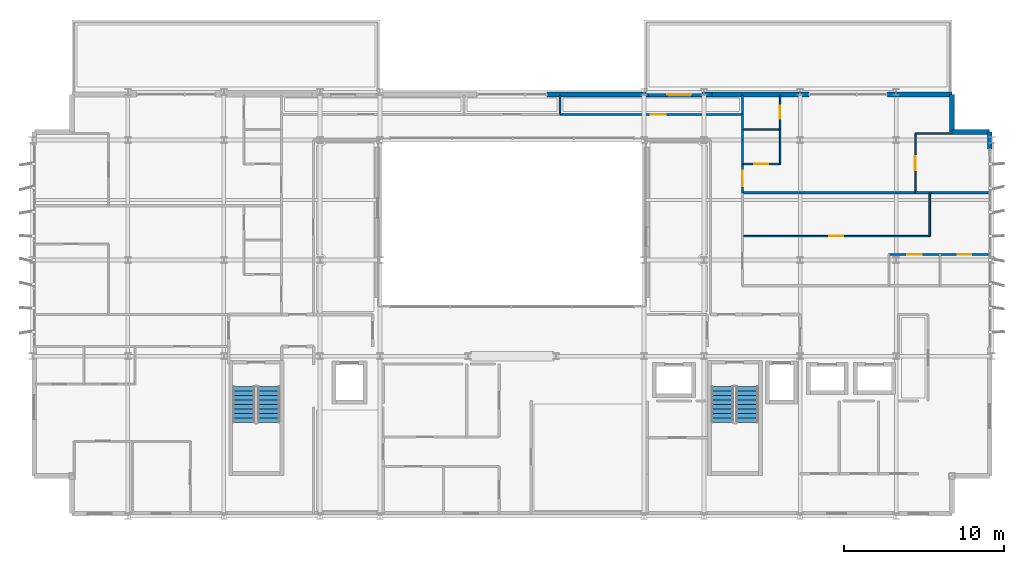
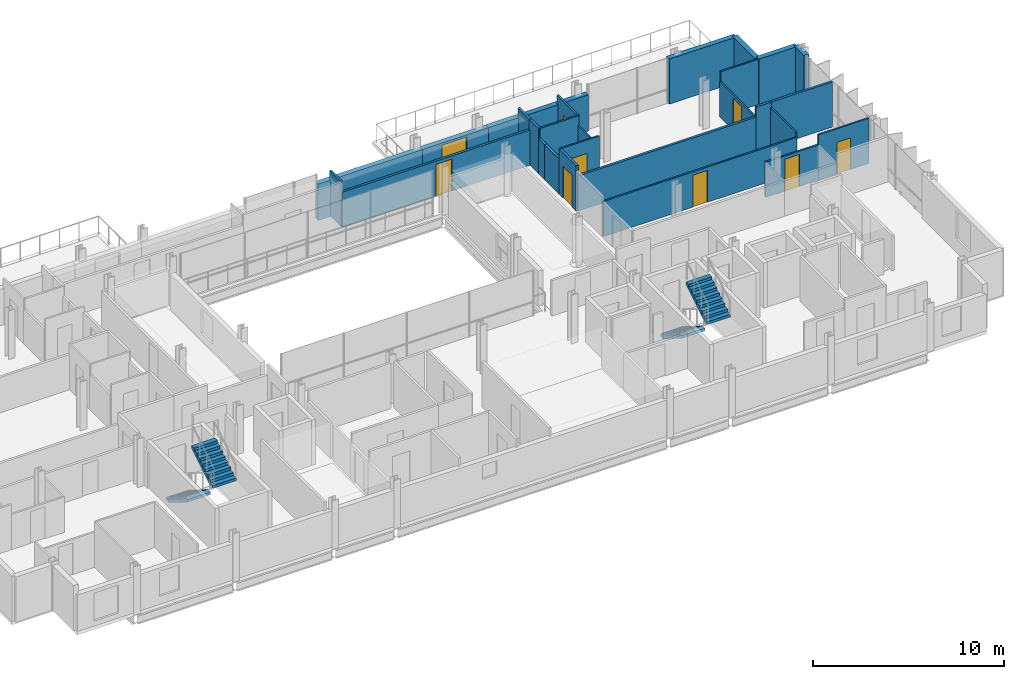
# One storey, part 32 of 38: 27 walls, 9 doors, 4 stair flights, 9 openings, 2 elements without a shape of their own.
"""IFC4 building model written with IfcOpenShell, lengths in metres."""

from ifc_helpers import new_model, si_unit, direction, frame, frame_2d, origin, place, context, subcontext, project, spatial, polyline, rectangle, outline, extrude, material, layer, layer_set, type_object, element, fill, aggregate, save


model = new_model("IFC4")

# Units and contexts
model_context = context("Model", 3, precision=1e-05, world=origin(), true_north=direction((0.0, 1.0)))
body_context = subcontext(model_context, "Body", "Model", "MODEL_VIEW")
ifc_project = project(units=[si_unit("LENGTHUNIT", "METRE"), si_unit("AREAUNIT", "SQUARE_METRE"), si_unit("VOLUMEUNIT", "CUBIC_METRE"), si_unit("PLANEANGLEUNIT", "RADIAN"), si_unit("MASSUNIT", "GRAM", prefix="KILO")], contexts=[model_context])

# Site, building, storey
site_placement = place(None, origin())
site = spatial("IfcSite", under=ifc_project, at=site_placement, CompositionType="ELEMENT")
building_placement = place(site_placement, origin())
building = spatial("IfcBuilding", under=site, at=building_placement, Name="Brevholm Reach", CompositionType="ELEMENT")
storey_placement = place(building_placement, frame((0.0, 0.0, 172.800048828125)))
storey = spatial("IfcBuildingStorey", under=building, at=storey_placement, Name="L52", CompositionType="ELEMENT", Elevation=172.800048828125)

# Wall, opening, door
ifc_material_1 = material(Name="Concrete C40/50", Category="concrete")
ifc_layer_1 = layer(ifc_material_1, 0.300048828125)
ifc_layer_set_1 = layer_set([ifc_layer_1], Name="Concrete C40/50")
wall_type_1 = type_object("IfcWallType", Name="WAL-EXT-300", PredefinedType="STANDARD", material=ifc_layer_set_1)
wall_1_placement = place(storey_placement, frame((38.5, 26.35009765625, 0.0), z_axis=(0.0, 0.0, 1.0), x_axis=(1.0, 0.0, 0.0)))
wall_1 = element("IfcWall", 1, at=wall_1_placement, inside=storey, type_object=wall_type_1, Name="L52 Facade Wall WAL-L52-TERR-NE", PredefinedType="STANDARD", context=body_context, shape_type="SweptSolid", body=[
    extrude(rectangle(XDim=4.0, YDim=0.300048828125, at=frame_2d((2.0, 0.0))), origin(), (0.0, 0.0, 1.0), 2.331787109375),
])
opening_1_placement = place(wall_1_placement, frame((1.199951171875, 0.0, 0.0)))
opening_1 = element("IfcOpeningElement", 2, at=opening_1_placement, cuts=wall_1, Name="Opening ED-04", PredefinedType="OPENING", context=body_context, shape_type="SweptSolid", body=[
    extrude(rectangle(XDim=1.5, YDim=2.199951171875, at=frame_2d((0.75, 1.10009765625))), frame((0.0, 0.159912109375, 0.0), z_axis=(0.0, -1.0, 0.0), x_axis=(1.0, 0.0, 0.0)), (0.0, 0.0, 1.0), 0.320068359375),
])
ifc_material_2 = material(Name="Dark Anodised Aluminium and Laminated Glass", Category="aluminium")
door_type_1 = type_object("IfcDoorType", Name="DOR-EXT-TER", OperationType="NOTDEFINED", PredefinedType="DOOR", material=ifc_material_2)
door_1_placement = place(opening_1_placement, origin())
door_1 = element("IfcDoor", 3, at=door_1_placement, inside=storey, type_object=door_type_1, Name="L52 Exterior Door DOR-L52-TERR-NE", OperationType="SINGLE_SWING_RIGHT", OverallHeight=2.199951171875, OverallWidth=1.5, PredefinedType="DOOR", context=body_context, shape_type="SweptSolid", body=[
    extrude(rectangle(XDim=1.5, YDim=2.199951171875, at=frame_2d((0.75, 1.10009765625))), frame((0.0, 0.02490234375, 0.0), z_axis=(0.0, -1.0, 0.0), x_axis=(1.0, 0.0, 0.0)), (0.0, 0.0, 1.0), 0.050048828125),
])
fill(opening_1, door_1)

# Walls
for number, where, z_axis, x_axis, name in (
    (4, (59.85009765625, 24.0, 0.0), (0.0, 0.0, 1.0), (-1.0, 0.0, 0.0), "L52 Facade Wall WAL-L52-CNE1"),
    (5, (57.5, 24.0, 0.0), (0.0, 0.0, 1.0), (0.0, 1.0, 0.0), "L52 Facade Wall WAL-L52-CNE2"),
):
    element("IfcWall", number, at=place(storey_placement, frame(where, z_axis=z_axis, x_axis=x_axis)), inside=storey, type_object=wall_type_1, Name=name, PredefinedType="STANDARD", context=body_context, shape_type="SweptSolid", body=[
        extrude(rectangle(XDim=2.35009765625, YDim=0.300048828125, at=frame_2d((1.175048828125, 0.0))), origin(), (0.0, 0.0, 1.0), 2.889892578125),
    ])
wall_2_placement = place(storey_placement, frame((59.85009765625, 22.949951171875, 0.0), z_axis=(0.0, 0.0, 1.0), x_axis=(0.0, 1.0, 0.0)))
element("IfcWall", 6, at=wall_2_placement, inside=storey, type_object=wall_type_1, Name="L52 Facade Wall WAL-L52-E-N", PredefinedType="STANDARD", context=body_context, shape_type="SweptSolid", body=[
    extrude(rectangle(XDim=1.050048828125, YDim=0.300048828125, at=frame_2d((0.52490234375, 0.0))), origin(), (0.0, 0.0, 1.0), 2.889892578125),
])
wall_3_placement = place(storey_placement, frame((53.449951171875, 26.35009765625, 0.0), z_axis=(0.0, 0.0, 1.0), x_axis=(1.0, 0.0, 0.0)))
element("IfcWall", 7, at=wall_3_placement, inside=storey, type_object=wall_type_1, Name="L52 Facade Wall WAL-L52-NP-E0", PredefinedType="STANDARD", context=body_context, shape_type="SweptSolid", body=[
    extrude(rectangle(XDim=4.050048828125, YDim=0.300048828125, at=frame_2d((2.02490234375, 0.0))), origin(), (0.0, 0.0, 1.0), 2.889892578125),
])
wall_4_placement = place(storey_placement, frame((32.199951171875, 26.35009765625, 0.0), z_axis=(0.0, 0.0, 1.0), x_axis=(1.0, 0.0, 0.0)))
element("IfcWall", 8, at=wall_4_placement, inside=storey, type_object=wall_type_1, Name="L52 Facade Wall WAL-L52-NP-R1", PredefinedType="STANDARD", context=body_context, shape_type="SweptSolid", body=[
    extrude(rectangle(XDim=6.300048828125, YDim=0.300048828125, at=frame_2d((3.14990234375, 0.0))), origin(), (0.0, 0.0, 1.0), 2.331787109375),
])
wall_5_placement = place(storey_placement, frame((42.5, 26.35009765625, 0.0), z_axis=(0.0, 0.0, 1.0), x_axis=(1.0, 0.0, 0.0)))
element("IfcWall", 9, at=wall_5_placement, inside=storey, type_object=wall_type_1, Name="L52 Facade Wall WAL-L52-NP-R2", PredefinedType="STANDARD", context=body_context, shape_type="SweptSolid", body=[
    extrude(rectangle(XDim=6.050048828125, YDim=0.300048828125, at=frame_2d((3.02490234375, 0.0))), origin(), (0.0, 0.0, 1.0), 2.331787109375),
])

# Wall, opening, door
ifc_material_3 = material(Name="Moisture-Resistant Acoustic Gypsum Stud Partition 100 mm", Category="gypsum")
ifc_layer_2 = layer(ifc_material_3, 0.10009765625)
ifc_layer_set_2 = layer_set([ifc_layer_2], Name="Moisture-Resistant Acoustic Gypsum Stud Partition 100 mm")
wall_type_2 = type_object("IfcWallType", Name="WAL-PRT-100", PredefinedType="PARTITIONING", material=ifc_layer_set_2)
wall_6_placement = place(storey_placement, frame((56.75, 16.35009765625, 0.0), z_axis=(0.0, 0.0, 1.0), x_axis=(1.0, 0.0, 0.0)))
wall_6 = element("IfcWall", 10, at=wall_6_placement, inside=storey, type_object=wall_type_2, Name="L52 Internal Partition 088", PredefinedType="PARTITIONING", context=body_context, shape_type="SweptSolid", body=[
    extrude(rectangle(XDim=3.050048828125, YDim=0.10009765625, at=frame_2d((1.52490234375, 0.0))), origin(), (0.0, 0.0, 1.0), 2.889892578125),
])
opening_2_placement = place(wall_6_placement, frame((1.114990234375, 0.0, 0.0)))
opening_2 = element("IfcOpeningElement", 11, at=opening_2_placement, cuts=wall_6, Name="Opening ID-03", PredefinedType="OPENING", context=body_context, shape_type="SweptSolid", body=[
    extrude(rectangle(XDim=0.820068359375, YDim=2.02001953125, at=frame_2d((0.41015625, 1.010009765625))), frame((0.0, 0.06005859375, 0.0), z_axis=(0.0, -1.0, 0.0), x_axis=(1.0, 0.0, 0.0)), (0.0, 0.0, 1.0), 0.1201171875),
])
ifc_material_4 = material(Name="Moisture-Resistant Painted Timber Internal Bathroom Door", Category="wood")
door_type_2 = type_object("IfcDoorType", Name="DOR-BATH-820", OperationType="NOTDEFINED", PredefinedType="DOOR", material=ifc_material_4)
door_2_placement = place(opening_2_placement, origin())
door_2 = element("IfcDoor", 12, at=door_2_placement, inside=storey, type_object=door_type_2, Name="L52 Internal Door 037", OperationType="SINGLE_SWING_RIGHT", OverallHeight=2.02001953125, OverallWidth=0.820068359375, PredefinedType="DOOR", context=body_context, shape_type="SweptSolid", body=[
    extrude(rectangle(XDim=0.820068359375, YDim=2.02001953125, at=frame_2d((0.41015625, 1.010009765625))), frame((0.0, 0.02490234375, 0.0), z_axis=(0.0, -1.0, 0.0), x_axis=(1.0, 0.0, 0.0)), (0.0, 0.0, 1.0), 0.050048828125),
])
fill(opening_2, door_2)

wall_7_placement = place(storey_placement, frame((53.550048828125, 16.35009765625, 0.0), z_axis=(0.0, 0.0, 1.0), x_axis=(1.0, 0.0, 0.0)))
wall_7 = element("IfcWall", 13, at=wall_7_placement, inside=storey, type_object=wall_type_2, Name="L52 Internal Partition 089", PredefinedType="PARTITIONING", context=body_context, shape_type="SweptSolid", body=[
    extrude(rectangle(XDim=3.196044921875, YDim=0.10009765625, at=frame_2d((1.59814453125, 0.0))), origin(), (0.0, 0.0, 1.0), 2.252685546875),
])
opening_3_placement = place(wall_7_placement, frame((1.157958984375, 0.0, 0.0)))
opening_3 = element("IfcOpeningElement", 14, at=opening_3_placement, cuts=wall_7, Name="Opening ID-01", PredefinedType="OPENING", context=body_context, shape_type="SweptSolid", body=[
    extrude(rectangle(XDim=0.8798828125, YDim=2.0400390625, at=frame_2d((0.43994140625, 1.02001953125))), frame((0.0, 0.06005859375, 0.0), z_axis=(0.0, -1.0, 0.0), x_axis=(1.0, 0.0, 0.0)), (0.0, 0.0, 1.0), 0.1201171875),
])
ifc_material_5 = material(Name="Lacquered Ash Solid-Core Acoustic Internal Door", Category="timber")
door_type_3 = type_object("IfcDoorType", Name="DOR-INT-880", OperationType="NOTDEFINED", PredefinedType="DOOR", material=ifc_material_5)
door_3_placement = place(opening_3_placement, origin())
door_3 = element("IfcDoor", 15, at=door_3_placement, inside=storey, type_object=door_type_3, Name="L52 Internal Door 038", OperationType="SINGLE_SWING_LEFT", OverallHeight=2.0400390625, OverallWidth=0.8798828125, PredefinedType="DOOR", context=body_context, shape_type="SweptSolid", body=[
    extrude(rectangle(XDim=0.8798828125, YDim=2.0400390625, at=frame_2d((0.43994140625, 1.02001953125))), frame((0.0, 0.02490234375, 0.0), z_axis=(0.0, -1.0, 0.0), x_axis=(1.0, 0.0, 0.0)), (0.0, 0.0, 1.0), 0.050048828125),
])
fill(opening_3, door_3)

wall_8_placement = place(storey_placement, frame((44.404052734375, 17.5, 0.0), z_axis=(0.0, 0.0, 1.0), x_axis=(1.0, 0.0, 0.0)))
wall_8 = element("IfcWall", 16, at=wall_8_placement, inside=storey, type_object=wall_type_2, Name="L52 Internal Partition 091", PredefinedType="PARTITIONING", context=body_context, shape_type="SweptSolid", body=[
    extrude(rectangle(XDim=11.699951171875, YDim=0.10009765625, at=frame_2d((5.85009765625, 0.0))), origin(), (0.0, 0.0, 1.0), 2.252685546875),
])
opening_4_placement = place(wall_8_placement, frame((5.409912109375, 0.0, 0.0)))
opening_4 = element("IfcOpeningElement", 17, at=opening_4_placement, cuts=wall_8, Name="Opening ID-01", PredefinedType="OPENING", context=body_context, shape_type="SweptSolid", body=[
    extrude(rectangle(XDim=0.8798828125, YDim=2.0400390625, at=frame_2d((0.43994140625, 1.02001953125))), frame((0.0, 0.06005859375, 0.0), z_axis=(0.0, -1.0, 0.0), x_axis=(1.0, 0.0, 0.0)), (0.0, 0.0, 1.0), 0.1201171875),
])
door_4_placement = place(opening_4_placement, origin())
door_4 = element("IfcDoor", 18, at=door_4_placement, inside=storey, type_object=door_type_3, Name="L52 Internal Door 039", OperationType="SINGLE_SWING_RIGHT", OverallHeight=2.0400390625, OverallWidth=0.8798828125, PredefinedType="DOOR", context=body_context, shape_type="SweptSolid", body=[
    extrude(rectangle(XDim=0.8798828125, YDim=2.0400390625, at=frame_2d((0.43994140625, 1.02001953125))), frame((0.0, 0.02490234375, 0.0), z_axis=(0.0, -1.0, 0.0), x_axis=(1.0, 0.0, 0.0)), (0.0, 0.0, 1.0), 0.050048828125),
])
fill(opening_4, door_4)

# Walls
wall_9_placement = place(storey_placement, frame((56.10400390625, 17.5, 0.0), z_axis=(0.0, 0.0, 1.0), x_axis=(0.0, 1.0, 0.0)))
element("IfcWall", 19, at=wall_9_placement, inside=storey, type_object=wall_type_2, Name="L52 Internal Partition 092", PredefinedType="PARTITIONING", context=body_context, shape_type="SweptSolid", body=[
    extrude(rectangle(XDim=2.699951171875, YDim=0.10009765625, at=frame_2d((1.35009765625, 0.0))), origin(), (0.0, 0.0, 1.0), 2.5615234375),
])
wall_10_placement = place(storey_placement, frame((44.39990234375, 24.14990234375, 0.0), z_axis=(0.0, 0.0, 1.0), x_axis=(1.0, 0.0, 0.0)))
element("IfcWall", 20, at=wall_10_placement, inside=storey, type_object=wall_type_2, Name="L52 Internal Partition 096", PredefinedType="PARTITIONING", context=body_context, shape_type="SweptSolid", body=[
    extrude(rectangle(XDim=2.35009765625, YDim=0.10009765625, at=frame_2d((1.175048828125, 0.0))), origin(), (0.0, 0.0, 1.0), 2.889892578125),
])

# Wall, opening, door
wall_11_placement = place(storey_placement, frame((46.75, 24.14990234375, 0.0), z_axis=(0.0, 0.0, 1.0), x_axis=(0.0, 1.0, 0.0)))
wall_11 = element("IfcWall", 21, at=wall_11_placement, inside=storey, type_object=wall_type_2, Name="L52 Internal Partition 097", PredefinedType="PARTITIONING", context=body_context, shape_type="SweptSolid", body=[
    extrude(rectangle(XDim=2.150146484375, YDim=0.10009765625, at=frame_2d((1.0751953125, 0.0))), origin(), (0.0, 0.0, 1.0), 2.889892578125),
])
opening_5_placement = place(wall_11_placement, frame((0.6650390625, 0.0, 0.0)))
opening_5 = element("IfcOpeningElement", 22, at=opening_5_placement, cuts=wall_11, Name="Opening ID-03", PredefinedType="OPENING", context=body_context, shape_type="SweptSolid", body=[
    extrude(rectangle(XDim=0.820068359375, YDim=2.02001953125, at=frame_2d((0.41015625, 1.010009765625))), frame((0.0, 0.06005859375, 0.0), z_axis=(0.0, -1.0, 0.0), x_axis=(1.0, 0.0, 0.0)), (0.0, 0.0, 1.0), 0.1201171875),
])
door_5_placement = place(opening_5_placement, origin())
door_5 = element("IfcDoor", 23, at=door_5_placement, inside=storey, type_object=door_type_2, Name="L52 Internal Door 040", OperationType="SINGLE_SWING_LEFT", OverallHeight=2.02001953125, OverallWidth=0.820068359375, PredefinedType="DOOR", context=body_context, shape_type="SweptSolid", body=[
    extrude(rectangle(XDim=0.820068359375, YDim=2.02001953125, at=frame_2d((0.41015625, 1.010009765625))), frame((0.0, 0.02490234375, 0.0), z_axis=(0.0, -1.0, 0.0), x_axis=(1.0, 0.0, 0.0)), (0.0, 0.0, 1.0), 0.050048828125),
])
fill(opening_5, door_5)

wall_12_placement = place(storey_placement, frame((44.404052734375, 22.0, 0.0), z_axis=(0.0, 0.0, 1.0), x_axis=(1.0, 0.0, 0.0)))
wall_12 = element("IfcWall", 24, at=wall_12_placement, inside=storey, type_object=wall_type_2, Name="L52 Internal Partition 100", PredefinedType="PARTITIONING", context=body_context, shape_type="SweptSolid", body=[
    extrude(rectangle(XDim=2.345947265625, YDim=0.10009765625, at=frame_2d((1.1728515625, 0.0))), origin(), (0.0, 0.0, 1.0), 2.889892578125),
])
opening_6_placement = place(wall_12_placement, frame((0.73291015625, 0.0, 0.0)))
opening_6 = element("IfcOpeningElement", 25, at=opening_6_placement, cuts=wall_12, Name="Opening ID-01", PredefinedType="OPENING", context=body_context, shape_type="SweptSolid", body=[
    extrude(rectangle(XDim=0.8798828125, YDim=2.0400390625, at=frame_2d((0.43994140625, 1.02001953125))), frame((0.0, 0.06005859375, 0.0), z_axis=(0.0, -1.0, 0.0), x_axis=(1.0, 0.0, 0.0)), (0.0, 0.0, 1.0), 0.1201171875),
])
door_6_placement = place(opening_6_placement, origin())
door_6 = element("IfcDoor", 26, at=door_6_placement, inside=storey, type_object=door_type_3, Name="L52 Internal Door 041", OperationType="SINGLE_SWING_RIGHT", OverallHeight=2.0400390625, OverallWidth=0.8798828125, PredefinedType="DOOR", context=body_context, shape_type="SweptSolid", body=[
    extrude(rectangle(XDim=0.8798828125, YDim=2.0400390625, at=frame_2d((0.43994140625, 1.02001953125))), frame((0.0, 0.02490234375, 0.0), z_axis=(0.0, -1.0, 0.0), x_axis=(1.0, 0.0, 0.0)), (0.0, 0.0, 1.0), 0.050048828125),
])
fill(opening_6, door_6)

# Walls
wall_13_placement = place(storey_placement, frame((46.75, 22.0, 0.0), z_axis=(0.0, 0.0, 1.0), x_axis=(0.0, 1.0, 0.0)))
element("IfcWall", 27, at=wall_13_placement, inside=storey, type_object=wall_type_2, Name="L52 Internal Partition 101", PredefinedType="PARTITIONING", context=body_context, shape_type="SweptSolid", body=[
    extrude(rectangle(XDim=2.14599609375, YDim=0.10009765625, at=frame_2d((1.072998046875, 0.0))), origin(), (0.0, 0.0, 1.0), 2.252685546875),
])
wall_14_placement = place(storey_placement, frame((55.199951171875, 23.89990234375, 0.0), z_axis=(0.0, 0.0, 1.0), x_axis=(1.0, 0.0, 0.0)))
element("IfcWall", 28, at=wall_14_placement, inside=storey, type_object=wall_type_2, Name="L52 Internal Partition 103", PredefinedType="PARTITIONING", context=body_context, shape_type="SweptSolid", body=[
    extrude(rectangle(XDim=2.280029296875, YDim=0.10009765625, at=frame_2d((1.14013671875, 0.0))), origin(), (0.0, 0.0, 1.0), 2.889892578125),
])

# Wall, opening, door
wall_15_placement = place(storey_placement, frame((55.199951171875, 20.2041015625, 0.0), z_axis=(0.0, 0.0, 1.0), x_axis=(0.0, 1.0, 0.0)))
wall_15 = element("IfcWall", 29, at=wall_15_placement, inside=storey, type_object=wall_type_2, Name="L52 Internal Partition 104", PredefinedType="PARTITIONING", context=body_context, shape_type="SweptSolid", body=[
    extrude(rectangle(XDim=3.69580078125, YDim=0.10009765625, at=frame_2d((1.847900390625, 0.0))), origin(), (0.0, 0.0, 1.0), 2.252685546875),
])
opening_7_placement = place(wall_15_placement, frame((1.407958984375, 0.0, 0.0)))
opening_7 = element("IfcOpeningElement", 30, at=opening_7_placement, cuts=wall_15, Name="Opening ID-01", PredefinedType="OPENING", context=body_context, shape_type="SweptSolid", body=[
    extrude(rectangle(XDim=0.8798828125, YDim=2.0400390625, at=frame_2d((0.43994140625, 1.02001953125))), frame((0.0, 0.06005859375, 0.0), z_axis=(0.0, -1.0, 0.0), x_axis=(1.0, 0.0, 0.0)), (0.0, 0.0, 1.0), 0.1201171875),
])
door_7_placement = place(opening_7_placement, origin())
door_7 = element("IfcDoor", 31, at=door_7_placement, inside=storey, type_object=door_type_3, Name="L52 Internal Door 042", OperationType="SINGLE_SWING_LEFT", OverallHeight=2.0400390625, OverallWidth=0.8798828125, PredefinedType="DOOR", context=body_context, shape_type="SweptSolid", body=[
    extrude(rectangle(XDim=0.8798828125, YDim=2.0400390625, at=frame_2d((0.43994140625, 1.02001953125))), frame((0.0, 0.02490234375, 0.0), z_axis=(0.0, -1.0, 0.0), x_axis=(1.0, 0.0, 0.0)), (0.0, 0.0, 1.0), 0.050048828125),
])
fill(opening_7, door_7)

# Walls
wall_16_placement = place(storey_placement, frame((33.0, 25.10400390625, 0.0), z_axis=(0.0, 0.0, 1.0), x_axis=(0.0, 1.0, 0.0)))
element("IfcWall", 32, at=wall_16_placement, inside=storey, type_object=wall_type_2, Name="L52 Internal Partition 111", PredefinedType="PARTITIONING", context=body_context, shape_type="SweptSolid", body=[
    extrude(rectangle(XDim=1.196044921875, YDim=0.10009765625, at=frame_2d((0.59814453125, 0.0))), origin(), (0.0, 0.0, 1.0), 2.889892578125),
])
ifc_material_6 = material(Name="Twin-Stud Acoustic Fire-Rated Gypsum Partition 140 mm", Category="gypsum")
ifc_layer_3 = layer(ifc_material_6, 0.139892578125)
ifc_layer_set_3 = layer_set([ifc_layer_3], Name="Twin-Stud Acoustic Fire-Rated Gypsum Partition 140 mm")
wall_type_3 = type_object("IfcWallType", Name="WAL-PRT-140", PredefinedType="PARTITIONING", material=ifc_layer_set_3)
wall_17_placement = place(storey_placement, frame((44.39990234375, 21.98876953125, 0.0), z_axis=(0.0, 0.0, 1.0), x_axis=(0.0, 1.0, 0.0)))
element("IfcWall", 33, at=wall_17_placement, inside=storey, type_object=wall_type_3, Name="L52 Internal Partition 049", PredefinedType="PARTITIONING", context=body_context, shape_type="SweptSolid", body=[
    extrude(rectangle(XDim=1.51123046875, YDim=0.139892578125, at=frame_2d((0.755615234375, 0.0))), origin(), (0.0, 0.0, 1.0), 2.252685546875),
])

# Wall, opening, door
wall_18_placement = place(storey_placement, frame((44.39990234375, 20.192626953125, 0.0), z_axis=(0.0, 0.0, 1.0), x_axis=(0.0, 1.0, 0.0)))
wall_18 = element("IfcWall", 34, at=wall_18_placement, inside=storey, type_object=wall_type_3, Name="L52 Internal Partition 050", PredefinedType="PARTITIONING", context=body_context, shape_type="SweptSolid", body=[
    extrude(rectangle(XDim=1.814697265625, YDim=0.139892578125, at=frame_2d((0.9072265625, 0.0))), origin(), (0.0, 0.0, 1.0), 2.889892578125),
])
opening_8_placement = place(wall_18_placement, frame((0.432373046875, 0.0, 0.0)))
opening_8 = element("IfcOpeningElement", 35, at=opening_8_placement, cuts=wall_18, Name="Opening ID-30", PredefinedType="OPENING", context=body_context, shape_type="SweptSolid", body=[
    extrude(rectangle(XDim=0.949951171875, YDim=2.050048828125, at=frame_2d((0.47509765625, 1.02490234375))), frame((0.0, 0.079833984375, 0.0), z_axis=(0.0, -1.0, 0.0), x_axis=(1.0, 0.0, 0.0)), (0.0, 0.0, 1.0), 0.159912109375),
])
ifc_material_7 = material(Name="European Oak Veneered Solid-Core Fire Entrance Door", Category="timber")
door_type_4 = type_object("IfcDoorType", Name="DOR-FLT-FD30S", OperationType="NOTDEFINED", PredefinedType="DOOR", material=ifc_material_7)
door_8_placement = place(opening_8_placement, origin())
door_8 = element("IfcDoor", 36, at=door_8_placement, inside=storey, type_object=door_type_4, Name="L52 Internal Door 025", OperationType="SINGLE_SWING_RIGHT", OverallHeight=2.050048828125, OverallWidth=0.949951171875, PredefinedType="DOOR", context=body_context, shape_type="SweptSolid", body=[
    extrude(rectangle(XDim=0.949951171875, YDim=2.050048828125, at=frame_2d((0.47509765625, 1.02490234375))), frame((0.0, 0.02490234375, 0.0), z_axis=(0.0, -1.0, 0.0), x_axis=(1.0, 0.0, 0.0)), (0.0, 0.0, 1.0), 0.050048828125),
])
fill(opening_8, door_8)

# Walls
wall_19_placement = place(storey_placement, frame((55.188720703125, 20.199951171875, 0.0), z_axis=(0.0, 0.0, 1.0), x_axis=(1.0, 0.0, 0.0)))
element("IfcWall", 37, at=wall_19_placement, inside=storey, type_object=wall_type_3, Name="L52 Internal Partition 093", PredefinedType="PARTITIONING", context=body_context, shape_type="SweptSolid", body=[
    extrude(rectangle(XDim=0.915283203125, YDim=0.139892578125, at=frame_2d((0.45751953125, 0.0))), origin(), (0.0, 0.0, 1.0), 2.889892578125),
])
wall_20_placement = place(storey_placement, frame((44.404052734375, 20.199951171875, 0.0), z_axis=(0.0, 0.0, 1.0), x_axis=(1.0, 0.0, 0.0)))
element("IfcWall", 38, at=wall_20_placement, inside=storey, type_object=wall_type_3, Name="L52 Internal Partition 094", PredefinedType="PARTITIONING", context=body_context, shape_type="SweptSolid", body=[
    extrude(rectangle(XDim=10.80322265625, YDim=0.139892578125, at=frame_2d((5.401611328125, 0.0))), origin(), (0.0, 0.0, 1.0), 2.252685546875),
])
wall_21_placement = place(storey_placement, frame((56.10791015625, 20.199951171875, 0.0), z_axis=(0.0, 0.0, 1.0), x_axis=(1.0, 0.0, 0.0)))
element("IfcWall", 39, at=wall_21_placement, inside=storey, type_object=wall_type_3, Name="L52 Internal Partition 095", PredefinedType="PARTITIONING", context=body_context, shape_type="SweptSolid", body=[
    extrude(rectangle(XDim=3.692138671875, YDim=0.139892578125, at=frame_2d((1.84619140625, 0.0))), origin(), (0.0, 0.0, 1.0), 2.889892578125),
])
wall_22_placement = place(storey_placement, frame((44.39990234375, 24.14990234375, 0.0), z_axis=(0.0, 0.0, 1.0), x_axis=(0.0, 1.0, 0.0)))
element("IfcWall", 40, at=wall_22_placement, inside=storey, type_object=wall_type_3, Name="L52 Internal Partition 098", PredefinedType="PARTITIONING", context=body_context, shape_type="SweptSolid", body=[
    extrude(rectangle(XDim=0.96142578125, YDim=0.139892578125, at=frame_2d((0.480712890625, 0.0))), origin(), (0.0, 0.0, 1.0), 2.889892578125),
])
wall_23_placement = place(storey_placement, frame((44.39990234375, 25.0927734375, 0.0), z_axis=(0.0, 0.0, 1.0), x_axis=(0.0, 1.0, 0.0)))
element("IfcWall", 41, at=wall_23_placement, inside=storey, type_object=wall_type_3, Name="L52 Internal Partition 099", PredefinedType="PARTITIONING", context=body_context, shape_type="SweptSolid", body=[
    extrude(rectangle(XDim=1.207275390625, YDim=0.139892578125, at=frame_2d((0.603515625, 0.0))), origin(), (0.0, 0.0, 1.0), 2.889892578125),
])
wall_24_placement = place(storey_placement, frame((44.39990234375, 23.50390625, 0.0), z_axis=(0.0, 0.0, 1.0), x_axis=(0.0, 1.0, 0.0)))
element("IfcWall", 42, at=wall_24_placement, inside=storey, type_object=wall_type_3, Name="L52 Internal Partition 102", PredefinedType="PARTITIONING", context=body_context, shape_type="SweptSolid", body=[
    extrude(rectangle(XDim=0.64208984375, YDim=0.139892578125, at=frame_2d((0.321044921875, 0.0))), origin(), (0.0, 0.0, 1.0), 2.252685546875),
])

# Wall, opening, door
wall_25_placement = place(storey_placement, frame((32.99267578125, 25.10009765625, 0.0), z_axis=(0.0, 0.0, 1.0), x_axis=(1.0, 0.0, 0.0)))
wall_25 = element("IfcWall", 43, at=wall_25_placement, inside=storey, type_object=wall_type_3, Name="L52 Internal Partition 109", PredefinedType="PARTITIONING", context=body_context, shape_type="SweptSolid", body=[
    extrude(rectangle(XDim=11.4033203125, YDim=0.139892578125, at=frame_2d((5.70166015625, 0.0))), origin(), (0.0, 0.0, 1.0), 2.252685546875),
])
opening_9_placement = place(wall_25_placement, frame((5.666748046875, 0.0, 0.0)))
opening_9 = element("IfcOpeningElement", 44, at=opening_9_placement, cuts=wall_25, Name="Opening ID-30", PredefinedType="OPENING", context=body_context, shape_type="SweptSolid", body=[
    extrude(rectangle(XDim=0.949951171875, YDim=2.050048828125, at=frame_2d((0.47509765625, 1.02490234375))), frame((0.0, 0.079833984375, 0.0), z_axis=(0.0, -1.0, 0.0), x_axis=(1.0, 0.0, 0.0)), (0.0, 0.0, 1.0), 0.159912109375),
])
door_9_placement = place(opening_9_placement, origin())
door_9 = element("IfcDoor", 45, at=door_9_placement, inside=storey, type_object=door_type_4, Name="L52 Internal Door 045", OperationType="SINGLE_SWING_RIGHT", OverallHeight=2.050048828125, OverallWidth=0.949951171875, PredefinedType="DOOR", context=body_context, shape_type="SweptSolid", body=[
    extrude(rectangle(XDim=0.949951171875, YDim=2.050048828125, at=frame_2d((0.47509765625, 1.02490234375))), frame((0.0, 0.02490234375, 0.0), z_axis=(0.0, -1.0, 0.0), x_axis=(1.0, 0.0, 0.0)), (0.0, 0.0, 1.0), 0.050048828125),
])
fill(opening_9, door_9)

# Stair, stair flights
ifc_material_8 = material(Name="Precast Concrete C40/50", Category="concrete")
stair_type = type_object("IfcStairType", Name="STR-ESC-1400", PredefinedType="DOUBLE_RETURN_STAIR", material=ifc_material_8)
stair_1_placement = place(storey_placement, origin())
stair_1 = element("IfcStair", 46, at=stair_1_placement, inside=storey, type_object=stair_type, Name="L52 ST-1", PredefinedType="DOUBLE_RETURN_STAIR")
ifc_material_9 = material(Name="Precast Concrete C40/50", Category="concrete")
ifc_layer_4 = layer(ifc_material_9, 0.18505859375)
ifc_layer_set_4 = layer_set([ifc_layer_4], Name="Precast Concrete C40/50")
stair_flight_type = type_object("IfcStairFlightType", Name="STF-PRC-185", PredefinedType="STRAIGHT", material=ifc_layer_set_4)
stair_flight_1_placement = place(storey_placement, frame((13.25, 8.10009765625, 0.0), z_axis=(0.0, 0.0, 1.0), x_axis=(0.0, -1.0, 0.0)))
stair_flight_1 = element("IfcStairFlight", 47, at=stair_flight_1_placement, type_object=stair_flight_type, Name="ST-1 flight 1", NumberOfRisers=9, NumberOfTreads=8, PredefinedType="STRAIGHT", RiserHeight=0.172222222, TreadLength=0.28, context=body_context, shape_type="SweptSolid", body=[
    extrude(outline(polyline([(0.0, 0.0), (0.0, 0.172119140625), (0.280029296875, 0.172119140625), (0.280029296875, 0.344482421875), (0.56005859375, 0.344482421875), (0.56005859375, 0.5166015625), (0.840087890625, 0.5166015625), (0.840087890625, 0.68896484375), (1.1201171875, 0.68896484375), (1.1201171875, 0.861083984375), (1.39990234375, 0.861083984375), (1.39990234375, 1.033447265625), (1.679931640625, 1.033447265625), (1.679931640625, 1.20556640625), (1.9599609375, 1.20556640625), (1.9599609375, 1.377685546875), (2.239990234375, 1.377685546875), (2.239990234375, 1.550048828125), (2.239990234375, 1.201904296875), (0.2861328125, 0.0), (0.0, 0.0)])), frame((0.0, 0.699951171875, 0.0), z_axis=(0.0, -1.0, 0.0), x_axis=(1.0, 0.0, 0.0)), (0.0, 0.0, 1.0), 1.39990234375),
])
stair_flight_2_placement = place(storey_placement, frame((14.800048828125, 5.860107421875, 1.550048828125), z_axis=(0.0, 0.0, 1.0), x_axis=(0.0, 1.0, 0.0)))
stair_flight_2 = element("IfcStairFlight", 48, at=stair_flight_2_placement, type_object=stair_flight_type, Name="ST-1 flight 2", NumberOfRisers=9, NumberOfTreads=8, PredefinedType="STRAIGHT", RiserHeight=0.172222222, TreadLength=0.28, context=body_context, shape_type="SweptSolid", body=[
    extrude(outline(polyline([(0.0, 0.0), (0.0, 0.172119140625), (0.280029296875, 0.172119140625), (0.280029296875, 0.344482421875), (0.56005859375, 0.344482421875), (0.56005859375, 0.5166015625), (0.840087890625, 0.5166015625), (0.840087890625, 0.68896484375), (1.1201171875, 0.68896484375), (1.1201171875, 0.861083984375), (1.39990234375, 0.861083984375), (1.39990234375, 1.033447265625), (1.679931640625, 1.033447265625), (1.679931640625, 1.20556640625), (1.9599609375, 1.20556640625), (1.9599609375, 1.377685546875), (2.239990234375, 1.377685546875), (2.239990234375, 1.550048828125), (2.239990234375, 1.201904296875), (0.2861328125, 0.0), (0.0, 0.0)])), frame((0.0, 0.699951171875, 0.0), z_axis=(0.0, -1.0, 0.0), x_axis=(1.0, 0.0, 0.0)), (0.0, 0.0, 1.0), 1.39990234375),
])
aggregate(stair_1, [stair_flight_1, stair_flight_2])

stair_2_placement = place(storey_placement, origin())
stair_2 = element("IfcStair", 49, at=stair_2_placement, inside=storey, type_object=stair_type, Name="L52 ST-2", PredefinedType="DOUBLE_RETURN_STAIR")
stair_flight_3_placement = place(storey_placement, frame((43.14990234375, 8.10009765625, 0.0), z_axis=(0.0, 0.0, 1.0), x_axis=(0.0, -1.0, 0.0)))
stair_flight_3 = element("IfcStairFlight", 50, at=stair_flight_3_placement, type_object=stair_flight_type, Name="ST-2 flight 1", NumberOfRisers=9, NumberOfTreads=8, PredefinedType="STRAIGHT", RiserHeight=0.172222222, TreadLength=0.28, context=body_context, shape_type="SweptSolid", body=[
    extrude(outline(polyline([(0.0, 0.0), (0.0, 0.172119140625), (0.280029296875, 0.172119140625), (0.280029296875, 0.344482421875), (0.56005859375, 0.344482421875), (0.56005859375, 0.5166015625), (0.840087890625, 0.5166015625), (0.840087890625, 0.68896484375), (1.1201171875, 0.68896484375), (1.1201171875, 0.861083984375), (1.39990234375, 0.861083984375), (1.39990234375, 1.033447265625), (1.679931640625, 1.033447265625), (1.679931640625, 1.20556640625), (1.9599609375, 1.20556640625), (1.9599609375, 1.377685546875), (2.239990234375, 1.377685546875), (2.239990234375, 1.550048828125), (2.239990234375, 1.201904296875), (0.2861328125, 0.0), (0.0, 0.0)])), frame((0.0, 0.699951171875, 0.0), z_axis=(0.0, -1.0, 0.0), x_axis=(1.0, 0.0, 0.0)), (0.0, 0.0, 1.0), 1.39990234375),
])
stair_flight_4_placement = place(storey_placement, frame((44.699951171875, 5.860107421875, 1.550048828125), z_axis=(0.0, 0.0, 1.0), x_axis=(0.0, 1.0, 0.0)))
stair_flight_4 = element("IfcStairFlight", 51, at=stair_flight_4_placement, type_object=stair_flight_type, Name="ST-2 flight 2", NumberOfRisers=9, NumberOfTreads=8, PredefinedType="STRAIGHT", RiserHeight=0.172222222, TreadLength=0.28, context=body_context, shape_type="SweptSolid", body=[
    extrude(outline(polyline([(0.0, 0.0), (0.0, 0.172119140625), (0.280029296875, 0.172119140625), (0.280029296875, 0.344482421875), (0.56005859375, 0.344482421875), (0.56005859375, 0.5166015625), (0.840087890625, 0.5166015625), (0.840087890625, 0.68896484375), (1.1201171875, 0.68896484375), (1.1201171875, 0.861083984375), (1.39990234375, 0.861083984375), (1.39990234375, 1.033447265625), (1.679931640625, 1.033447265625), (1.679931640625, 1.20556640625), (1.9599609375, 1.20556640625), (1.9599609375, 1.377685546875), (2.239990234375, 1.377685546875), (2.239990234375, 1.550048828125), (2.239990234375, 1.201904296875), (0.2861328125, 0.0), (0.0, 0.0)])), frame((0.0, 0.699951171875, 0.0), z_axis=(0.0, -1.0, 0.0), x_axis=(1.0, 0.0, 0.0)), (0.0, 0.0, 1.0), 1.39990234375),
])
aggregate(stair_2, [stair_flight_3, stair_flight_4])

save(model, "model.ifc")
